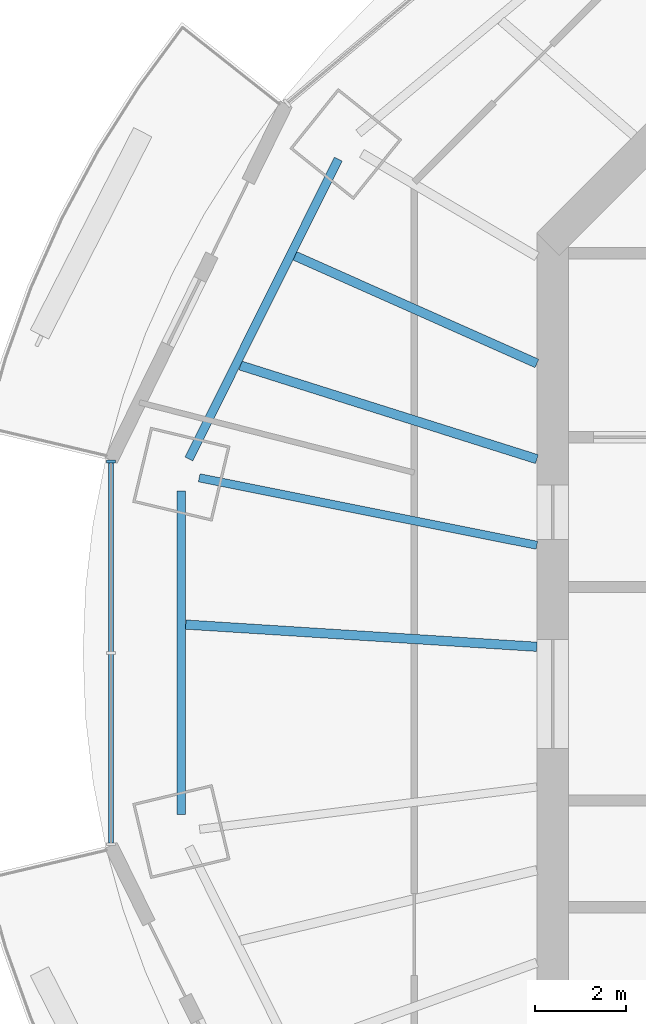
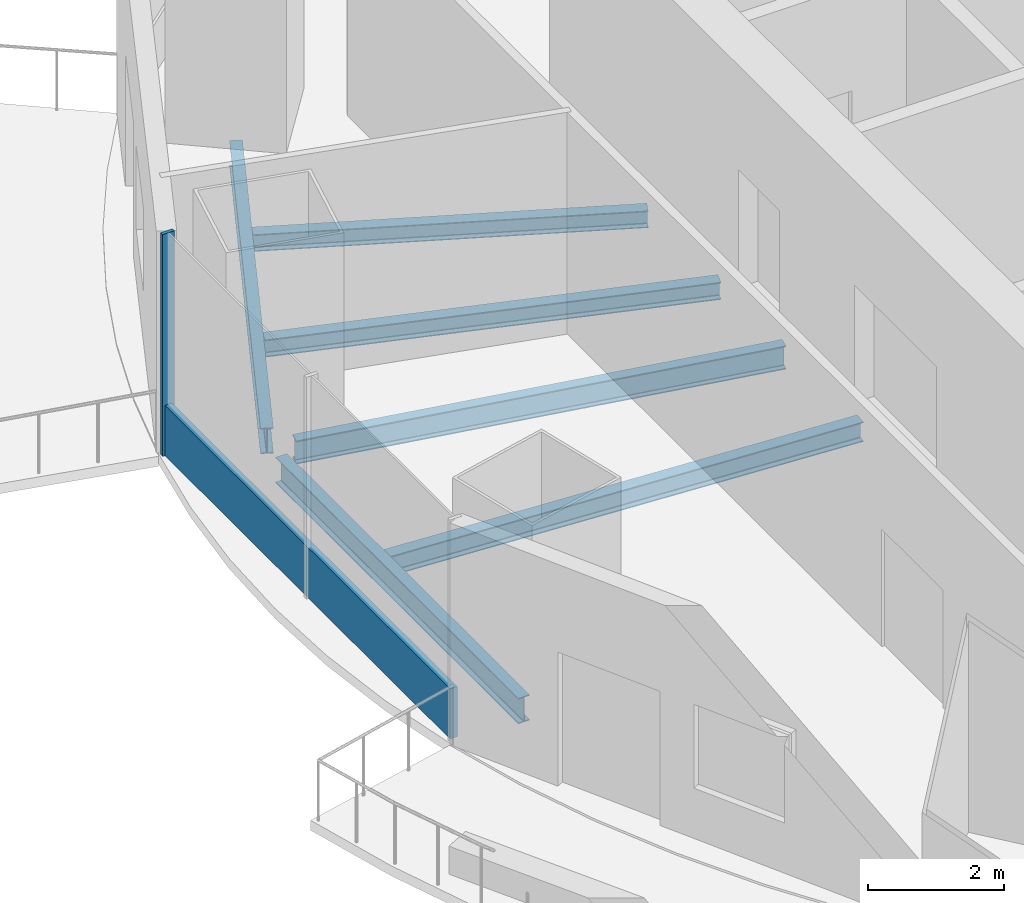
# One storey, part 3 of 16: 6 beams, 2 members, 1 element without a shape of its own.
"""IFC4 building model written with IfcOpenShell, lengths in metres."""

from ifc_helpers import new_model, si_unit, direction, frame, origin, origin_2d, place, context, subcontext, project, spatial, rectangle, i_section, extrude, material, material_profile, profile_set, type_object, element, aggregate, save


model = new_model("IFC4")

# Units and contexts
model_context = context("Model", 3, precision=1e-05, world=origin(), true_north=direction((0.0, 1.0)))
body_context = subcontext(model_context, "Body", "Model", "MODEL_VIEW")
ifc_project = project(units=[si_unit("LENGTHUNIT", "METRE"), si_unit("AREAUNIT", "SQUARE_METRE"), si_unit("VOLUMEUNIT", "CUBIC_METRE"), si_unit("PLANEANGLEUNIT", "RADIAN"), si_unit("MASSUNIT", "GRAM", prefix="KILO")], contexts=[model_context])

# Site, building, storey
site_placement = place(None, origin())
site = spatial("IfcSite", under=ifc_project, at=site_placement, CompositionType="ELEMENT")
building_placement = place(site_placement, origin())
building = spatial("IfcBuilding", under=site, at=building_placement, Name="Marenthal Gate Tower", CompositionType="ELEMENT")
storey_placement = place(building_placement, frame((0.0, 0.0, 375.800048828125)))
storey = spatial("IfcBuildingStorey", under=building, at=storey_placement, Name="L85", CompositionType="ELEMENT", Elevation=375.800048828125)

# Curtain wall, members
ifc_material_1 = material(Name="Aluminium and glass", Category="aluminium")
curtain_wall_type = type_object("IfcCurtainWallType", Name="Curtain wall typical high", PredefinedType="NOTDEFINED", material=ifc_material_1)
curtain_wall_placement = place(storey_placement, origin())
curtain_wall = element("IfcCurtainWall", 1, at=curtain_wall_placement, inside=storey, type_object=curtain_wall_type, Name="Curtain wall L85 bay 8", PredefinedType="NOTDEFINED")
ifc_material_2 = material(Name="Aluminium", Category="aluminium")
ifc_material_profile_1 = material_profile(ifc_material_2, rectangle(XDim=0.199951171875, YDim=0.06005859375, at=origin_2d()), Name="60x200 aluminium mullion")
ifc_profile_set_1 = profile_set([ifc_material_profile_1], Name="Aluminium")
member_type_1 = type_object("IfcMemberType", Name="Mullion 60x200 typical high", PredefinedType="MULLION", material=ifc_profile_set_1)
member_1_placement = place(storey_placement, frame((-25.725830078125, 5.1123046875, 0.0), z_axis=(0.0, 0.0, 1.0), x_axis=(1.0, 0.0, 0.0)))
member_1 = element("IfcMember", 2, at=member_1_placement, type_object=member_type_1, Name="Mullion L85 bay 8.1", PredefinedType="MULLION", context=body_context, shape_type="SweptSolid", body=[
    extrude(rectangle(XDim=0.199951171875, YDim=0.06005859375, at=origin_2d()), origin(), (0.0, 0.0, 1.0), 3.969970703125),
])
ifc_material_3 = material(Name="Aluminium", Category="aluminium")
ifc_material_profile_2 = material_profile(ifc_material_3, rectangle(XDim=0.1201171875, YDim=0.89990234375, at=origin_2d()), Name="120x900 aluminium transom")
ifc_profile_set_2 = profile_set([ifc_material_profile_2], Name="Aluminium")
member_type_2 = type_object("IfcMemberType", Name="Transom 120x900 typical high", PredefinedType="USERDEFINED", material=ifc_profile_set_2)
member_2_placement = place(storey_placement, frame((-25.725830078125, 5.082275390625, 0.449951171875), z_axis=(0.0, -1.0, 0.0), x_axis=(1.0, 0.0, 0.0)))
member_2 = element("IfcMember", 3, at=member_2_placement, type_object=member_type_2, Name="Transom L85 bay 8", ObjectType="TRANSOM", PredefinedType="USERDEFINED", context=body_context, shape_type="SweptSolid", body=[
    extrude(rectangle(XDim=0.1201171875, YDim=0.89990234375, at=origin_2d()), origin(), (0.0, 0.0, 1.0), 8.364501953125),
])
aggregate(curtain_wall, [member_1, member_2])

# Beams
ifc_material_4 = material(Name="Steel S355", Category="steel")
ifc_material_profile_3 = material_profile(ifc_material_4, i_section(OverallWidth=0.202880859375, OverallDepth=0.302001953125, WebThickness=0.007568359375, FlangeThickness=0.01318359375, FilletRadius=0.0126953125, at=origin_2d()), Name="W310X60")
ifc_profile_set_3 = profile_set([ifc_material_profile_3], Name="Steel S355")
beam_type_1 = type_object("IfcBeamType", Name="W310X60 beam", PredefinedType="BEAM", material=ifc_profile_set_3)
beam_1_placement = place(storey_placement, frame((-21.67578125, 9.64111328125, -0.3310546875), z_axis=(0.913704426496, -0.406379405238, 0.0), x_axis=(0.406379405238, 0.913704426496, 0.0)))
element("IfcBeam", 4, at=beam_1_placement, inside=storey, type_object=beam_type_1, Name="BM-L85-26", PredefinedType="BEAM", context=body_context, shape_type="SweptSolid", body=[
    extrude(i_section(OverallWidth=0.202880859375, OverallDepth=0.302001953125, WebThickness=0.007568359375, FlangeThickness=0.01318359375, FilletRadius=0.0126953125, at=origin_2d()), origin(), (0.0, 0.0, 1.0), 5.82861328125),
])
ifc_material_5 = material(Name="Steel S355", Category="steel")
ifc_material_profile_4 = material_profile(ifc_material_5, i_section(OverallWidth=0.205078125, OverallDepth=0.31005859375, WebThickness=0.009521484375, FlangeThickness=0.016357421875, FilletRadius=0.0126953125, at=origin_2d()), Name="W310X74")
ifc_profile_set_4 = profile_set([ifc_material_profile_4], Name="Steel S355")
beam_type_2 = type_object("IfcBeamType", Name="W310X74 beam", PredefinedType="BEAM", material=ifc_profile_set_4)
beam_2_placement = place(storey_placement, frame((-22.87744140625, 7.227783203125, -0.3349609375), z_axis=(0.953541151645, -0.301262795779, 0.0), x_axis=(0.301262795779, 0.953541151645, 0.0)))
element("IfcBeam", 5, at=beam_2_placement, inside=storey, type_object=beam_type_2, Name="BM-L85-27", PredefinedType="BEAM", context=body_context, shape_type="SweptSolid", body=[
    extrude(i_section(OverallWidth=0.205078125, OverallDepth=0.31005859375, WebThickness=0.009521484375, FlangeThickness=0.016357421875, FilletRadius=0.0126953125, at=origin_2d()), origin(), (0.0, 0.0, 1.0), 6.845458984375),
])
ifc_material_6 = material(Name="Steel S355", Category="steel")
ifc_material_profile_5 = material_profile(ifc_material_6, i_section(OverallWidth=0.205078125, OverallDepth=0.35302734375, WebThickness=0.009521484375, FlangeThickness=0.016845703125, FilletRadius=0.014892578125, at=origin_2d()), Name="W360X79")
ifc_profile_set_5 = profile_set([ifc_material_profile_5], Name="Steel S355")
beam_type_3 = type_object("IfcBeamType", Name="W360X79 beam", PredefinedType="BEAM", material=ifc_profile_set_5)
beam_3_placement = place(storey_placement, frame((-24.080810546875, 1.5234375, -0.3564453125), z_axis=(0.998003339488, -0.063161177715, 0.0), x_axis=(0.063161177715, 0.998003339488, 0.0)))
element("IfcBeam", 6, at=beam_3_placement, inside=storey, type_object=beam_type_3, Name="BM-L85-28", PredefinedType="BEAM", context=body_context, shape_type="SweptSolid", body=[
    extrude(i_section(OverallWidth=0.205078125, OverallDepth=0.35302734375, WebThickness=0.009521484375, FlangeThickness=0.016845703125, FilletRadius=0.014892578125, at=origin_2d()), origin(), (0.0, 0.0, 1.0), 7.74609375),
])
ifc_material_7 = material(Name="Steel S355", Category="steel")
ifc_material_profile_6 = material_profile(ifc_material_7, i_section(OverallWidth=0.180908203125, OverallDepth=0.4169921875, WebThickness=0.010986328125, FlangeThickness=0.018310546875, FilletRadius=0.01025390625, at=origin_2d()), Name="W410X85")
ifc_profile_set_6 = profile_set([ifc_material_profile_6], Name="Steel S355")
beam_type_4 = type_object("IfcBeamType", Name="W410X85 beam", PredefinedType="BEAM", material=ifc_profile_set_6)
beam_4_placement = place(storey_placement, frame((-23.783447265625, 4.75537109375, -0.388427734375), z_axis=(0.980595537477, -0.196041811562, 0.0), x_axis=(0.196041811562, 0.980595537477, 0.0)))
element("IfcBeam", 7, at=beam_4_placement, inside=storey, type_object=beam_type_4, Name="BM-L85-08", PredefinedType="BEAM", context=body_context, shape_type="SweptSolid", body=[
    extrude(i_section(OverallWidth=0.180908203125, OverallDepth=0.4169921875, WebThickness=0.010986328125, FlangeThickness=0.018310546875, FilletRadius=0.01025390625, at=origin_2d()), origin(), (0.0, 0.0, 1.0), 7.580322265625),
])
ifc_material_8 = material(Name="Steel S355", Category="steel")
ifc_material_profile_7 = material_profile(ifc_material_8, i_section(OverallWidth=0.19091796875, OverallDepth=0.45703125, WebThickness=0.009033203125, FlangeThickness=0.014404296875, FilletRadius=0.01025390625, at=origin_2d()), Name="W460X74")
ifc_profile_set_7 = profile_set([ifc_material_profile_7], Name="Steel S355")
beam_type_5 = type_object("IfcBeamType", Name="W460X74 beam", PredefinedType="BEAM", material=ifc_profile_set_7)
beam_5_placement = place(storey_placement, frame((-20.721435546875, 11.77197265625, -0.408447265625), z_axis=(-0.445757037606, -0.895153988666, 0.0), x_axis=(0.895153988666, -0.445757037606, 0.0)))
element("IfcBeam", 8, at=beam_5_placement, inside=storey, type_object=beam_type_5, Name="BM-L85-45", PredefinedType="BEAM", context=body_context, shape_type="SweptSolid", body=[
    extrude(i_section(OverallWidth=0.19091796875, OverallDepth=0.45703125, WebThickness=0.009033203125, FlangeThickness=0.014404296875, FilletRadius=0.01025390625, at=origin_2d()), origin(), (0.0, 0.0, 1.0), 7.3779296875),
])
beam_6_placement = place(storey_placement, frame((-24.17626953125, 4.4599609375, -0.408447265625), z_axis=(0.0, -1.0, 0.0), x_axis=(1.0, 0.0, 0.0)))
element("IfcBeam", 9, at=beam_6_placement, inside=storey, type_object=beam_type_5, Name="BM-L85-46", PredefinedType="BEAM", context=body_context, shape_type="SweptSolid", body=[
    extrude(i_section(OverallWidth=0.19091796875, OverallDepth=0.45703125, WebThickness=0.009033203125, FlangeThickness=0.014404296875, FilletRadius=0.01025390625, at=origin_2d()), origin(), (0.0, 0.0, 1.0), 7.119873046875),
])

save(model, "model.ifc")
